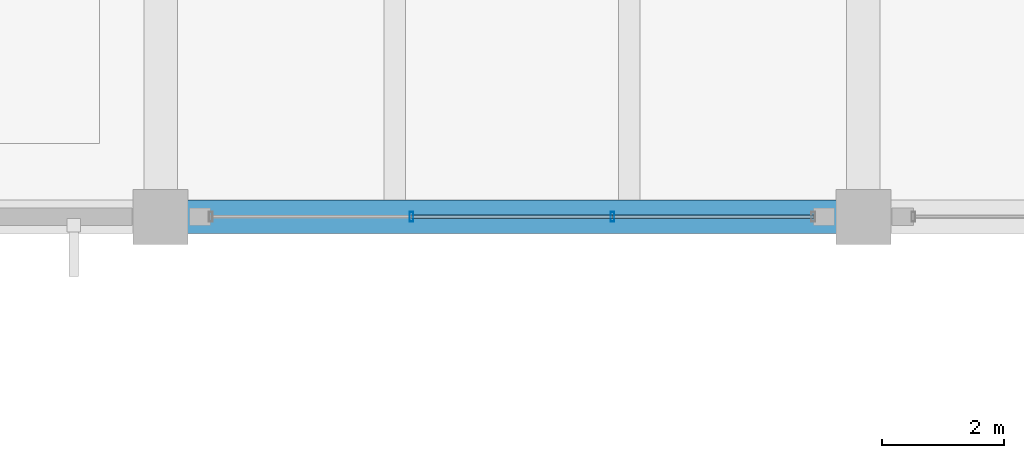
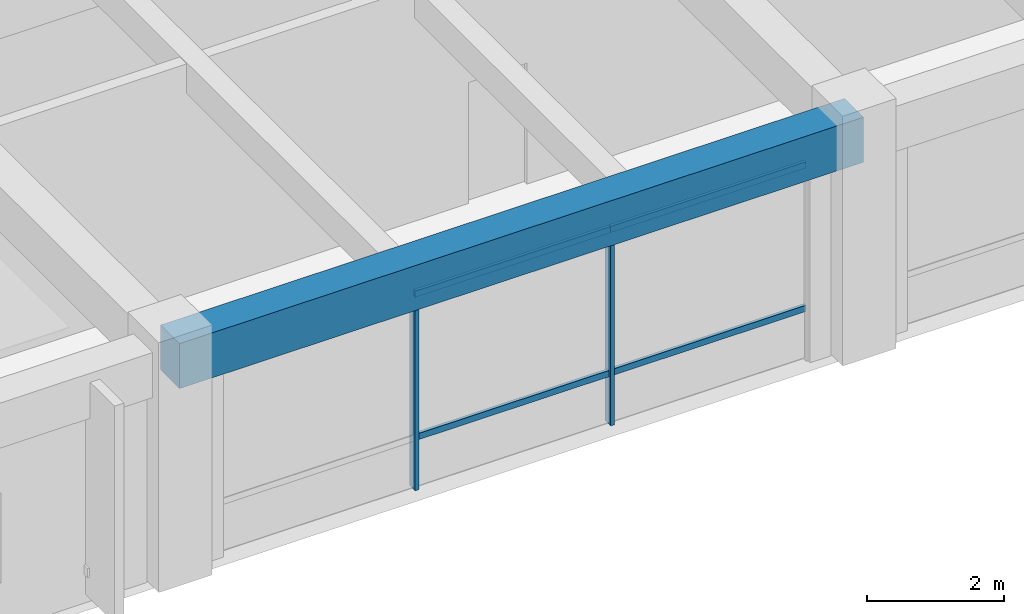
# One storey, part 11 of 27: 6 members, 1 beam, 1 element without a shape of its own.
"""IFC4 building model written with IfcOpenShell, lengths in metres."""

from ifc_helpers import new_model, si_unit, direction, frame, origin, origin_2d, place, context, subcontext, project, spatial, rectangle, hollow_rectangle, extrude, material, material_profile, profile_set, type_object, element, aggregate, save


model = new_model("IFC4")

# Units and contexts
model_context = context("Model", 3, precision=1e-05, world=origin(), true_north=direction((0.0, 1.0)))
body_context = subcontext(model_context, "Body", "Model", "MODEL_VIEW")
ifc_project = project(units=[si_unit("LENGTHUNIT", "METRE"), si_unit("AREAUNIT", "SQUARE_METRE"), si_unit("VOLUMEUNIT", "CUBIC_METRE"), si_unit("PLANEANGLEUNIT", "RADIAN"), si_unit("MASSUNIT", "GRAM", prefix="KILO")], contexts=[model_context])

# Site, building, storey
site_placement = place(None, origin())
site = spatial("IfcSite", under=ifc_project, at=site_placement, CompositionType="ELEMENT")
building_placement = place(site_placement, origin())
building = spatial("IfcBuilding", under=site, at=building_placement, Name="Ologun Quay Terminus", CompositionType="ELEMENT")
storey_placement = place(building_placement, frame((0.0, 0.0, 22.4599609375)))
storey = spatial("IfcBuildingStorey", under=building, at=storey_placement, Name="L05", CompositionType="ELEMENT", Elevation=22.4599609375)

# Curtain wall, members
ifc_material_1 = material(Name="Aluminium 6063-T6", Category="aluminium")
curtain_wall_type = type_object("IfcCurtainWallType", Name="Operations Wing Canteen Curtain Wall L05 10600x4050", PredefinedType="USERDEFINED", material=ifc_material_1)
curtain_wall_placement = place(storey_placement, origin())
curtain_wall = element("IfcCurtainWall", 1, at=curtain_wall_placement, inside=storey, type_object=curtain_wall_type, Name="CW-28 Curtain Wall CW-L05-152", ObjectType="UNITISED CURTAIN WALL", PredefinedType="USERDEFINED")
ifc_material_2 = material(Name="Aluminium 6063-T6", Category="aluminium")
ifc_material_profile_1 = material_profile(ifc_material_2, hollow_rectangle(XDim=0.06005859375, YDim=0.159912109375, WallThickness=0.00390625, at=origin_2d()), Name="ALU 160x60x4")
ifc_profile_set_1 = profile_set([ifc_material_profile_1], Name="Aluminium 6063-T6")
member_type_1 = type_object("IfcMemberType", Name="Courtyard Screen Mullion 160x65", PredefinedType="MULLION", material=ifc_profile_set_1)
member_1_placement = place(storey_placement, frame((130.606689453125, 85.800048828125, 0.0), z_axis=(0.0, 0.0, 1.0), x_axis=(1.0, 0.0, 0.0)))
member_1 = element("IfcMember", 2, at=member_1_placement, type_object=member_type_1, Name="CW-L05-152 Mullion 2", PredefinedType="MULLION", context=body_context, shape_type="SweptSolid", body=[
    extrude(hollow_rectangle(XDim=0.06005859375, YDim=0.159912109375, WallThickness=0.00390625, at=origin_2d()), origin(), (0.0, 0.0, 1.0), 4.150146484375),
])
member_2_placement = place(storey_placement, frame((133.893310546875, 85.800048828125, 0.0), z_axis=(0.0, 0.0, 1.0), x_axis=(1.0, 0.0, 0.0)))
member_2 = element("IfcMember", 3, at=member_2_placement, type_object=member_type_1, Name="CW-L05-152 Mullion 3", PredefinedType="MULLION", context=body_context, shape_type="SweptSolid", body=[
    extrude(hollow_rectangle(XDim=0.06005859375, YDim=0.159912109375, WallThickness=0.00390625, at=origin_2d()), origin(), (0.0, 0.0, 1.0), 4.150146484375),
])
ifc_material_3 = material(Name="Aluminium 6063-T6", Category="aluminium")
ifc_material_profile_2 = material_profile(ifc_material_3, hollow_rectangle(XDim=0.054931640625, YDim=0.110107421875, WallThickness=0.00390625, at=origin_2d()), Name="ALU 110x55x4")
ifc_profile_set_2 = profile_set([ifc_material_profile_2], Name="Aluminium 6063-T6")
member_type_2 = type_object("IfcMemberType", Name="Courtyard Screen Transom 110x55", PredefinedType="USERDEFINED", material=ifc_profile_set_2)
member_3_placement = place(storey_placement, frame((130.606689453125, 85.800048828125, 0.900146484375), z_axis=(1.0, 0.0, 0.0), x_axis=(0.0, 1.0, 0.0)))
member_3 = element("IfcMember", 4, at=member_3_placement, type_object=member_type_2, Name="CW-L05-152 Transom B2-1", ObjectType="TRANSOM", PredefinedType="USERDEFINED", context=body_context, shape_type="SweptSolid", body=[
    extrude(hollow_rectangle(XDim=0.054931640625, YDim=0.110107421875, WallThickness=0.00390625, at=origin_2d()), origin(), (0.0, 0.0, 1.0), 3.28662109375),
])
member_4_placement = place(storey_placement, frame((130.606689453125, 85.800048828125, 3.449951171875), z_axis=(1.0, 0.0, 0.0), x_axis=(0.0, 1.0, 0.0)))
member_4 = element("IfcMember", 5, at=member_4_placement, type_object=member_type_2, Name="CW-L05-152 Transom B2-2", ObjectType="TRANSOM", PredefinedType="USERDEFINED", context=body_context, shape_type="SweptSolid", body=[
    extrude(hollow_rectangle(XDim=0.054931640625, YDim=0.110107421875, WallThickness=0.00390625, at=origin_2d()), origin(), (0.0, 0.0, 1.0), 3.28662109375),
])
member_5_placement = place(storey_placement, frame((133.893310546875, 85.800048828125, 0.900146484375), z_axis=(1.0, 0.0, 0.0), x_axis=(0.0, 1.0, 0.0)))
member_5 = element("IfcMember", 6, at=member_5_placement, type_object=member_type_2, Name="CW-L05-152 Transom B3-1", ObjectType="TRANSOM", PredefinedType="USERDEFINED", context=body_context, shape_type="SweptSolid", body=[
    extrude(hollow_rectangle(XDim=0.054931640625, YDim=0.110107421875, WallThickness=0.00390625, at=origin_2d()), origin(), (0.0, 0.0, 1.0), 3.28662109375),
])
member_6_placement = place(storey_placement, frame((133.893310546875, 85.800048828125, 3.449951171875), z_axis=(1.0, 0.0, 0.0), x_axis=(0.0, 1.0, 0.0)))
member_6 = element("IfcMember", 7, at=member_6_placement, type_object=member_type_2, Name="CW-L05-152 Transom B3-2", ObjectType="TRANSOM", PredefinedType="USERDEFINED", context=body_context, shape_type="SweptSolid", body=[
    extrude(hollow_rectangle(XDim=0.054931640625, YDim=0.110107421875, WallThickness=0.00390625, at=origin_2d()), origin(), (0.0, 0.0, 1.0), 3.28662109375),
])
aggregate(curtain_wall, [member_1, member_2, member_3, member_4, member_5, member_6])

# Beam
ifc_material_4 = material(Name="Concrete C40/50", Category="concrete")
ifc_material_profile_3 = material_profile(ifc_material_4, rectangle(XDim=0.550048828125, YDim=0.800048828125, at=origin_2d()), Name="RC 550x800")
ifc_profile_set_3 = profile_set([ifc_material_profile_3], Name="Concrete C40/50")
beam_type = type_object("IfcBeamType", Name="Courtyard Wing Primary Girder 550x800", PredefinedType="BEAM", material=ifc_profile_set_3)
beam_placement = place(storey_placement, frame((126.5, 85.800048828125, 3.760009765625), z_axis=(1.0, 0.0, 0.0), x_axis=(0.0, 1.0, 0.0)))
element("IfcBeam", 8, at=beam_placement, inside=storey, type_object=beam_type, Name="B4 Beam 12/G2 L05", PredefinedType="BEAM", context=body_context, shape_type="SweptSolid", body=[
    extrude(rectangle(XDim=0.550048828125, YDim=0.800048828125, at=origin_2d()), origin(), (0.0, 0.0, 1.0), 11.5),
])

save(model, "model.ifc")
